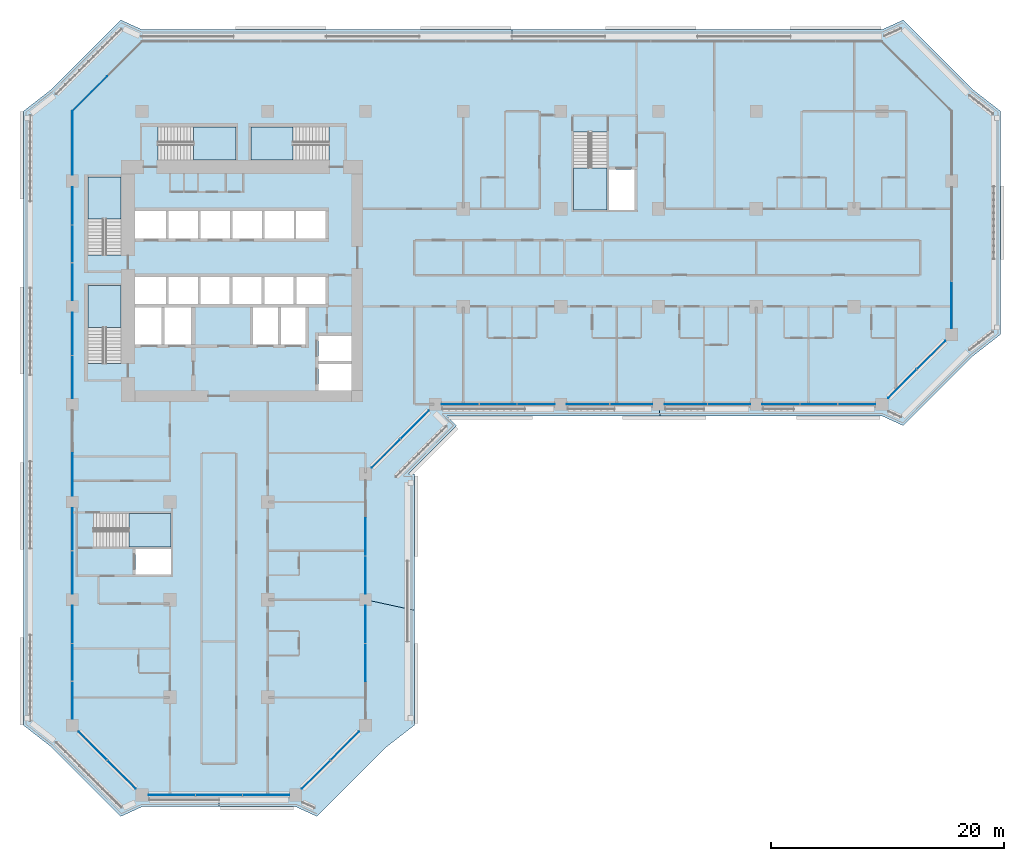
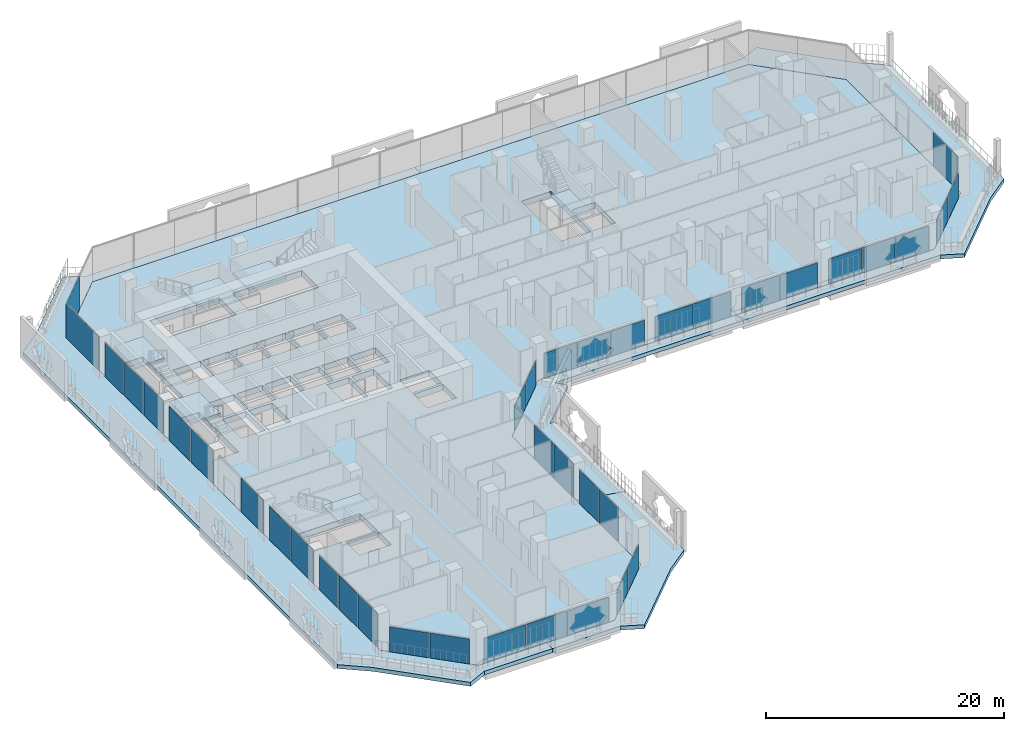
# One storey, part 10 of 25: 39 plates, 11 slabs, 16 elements without a shape of their own.
"""IFC4 building model written with IfcOpenShell, lengths in metres."""

import ifcopenshell
import ifcopenshell.guid

model = None  # the IFC model being written
_history = None  # IfcOwnerHistory: only IFC2X3 demands one
_inside = {}  # id of a spatial element -> (the spatial element, [elements in it])
_under = {}  # id of a project, library or spatial element -> (it, [spatial elements below it])
_declared = {}  # id of a project -> (the project, [libraries it declares])
_typed = {}  # id of a type object -> (the type object, [elements of that type])
_made_of = {}  # id of a material, layer set ... -> (it, [elements and type objects made of it])


def new_model(schema):
    """Start an empty IFC model of exactly this schema.

    Asked for "IFC4X3", IfcOpenShell would pick the latest addendum, in which some entities
    have other attributes; the version numbers below select the first issue.
    IFC2X3 requires an IfcOwnerHistory on every rooted entity: one is made here for all.
    """
    global model, _history
    if schema == "IFC4X3":
        model = ifcopenshell.file(schema_version=(4, 3, 0, 0))
    else:
        model = ifcopenshell.file(schema=schema)
    _inside.clear()
    _under.clear()
    _declared.clear()
    _typed.clear()
    _made_of.clear()
    _history = None
    if model.schema == "IFC2X3":
        org = make("IfcOrganization", Name="unknown")
        user = make(
            "IfcPersonAndOrganization",
            ThePerson=make("IfcPerson", FamilyName="unknown"),
            TheOrganization=org,
        )
        app = make(
            "IfcApplication",
            ApplicationDeveloper=org,
            Version="unknown",
            ApplicationFullName="unknown",
            ApplicationIdentifier="unknown",
        )
        _history = make(
            "IfcOwnerHistory",
            OwningUser=user,
            OwningApplication=app,
            ChangeAction="ADDED",
            CreationDate=0,
        )
    return model


def make(cls, **values):
    """One entity of the class cls with the attributes given. An attribute that is None is left unset."""
    return model.create_entity(
        cls, **{name: value for name, value in values.items() if value is not None}
    )


def rooted(cls, **values):
    """An entity with a GlobalId (a new one), such as an element, a storey or a relation."""
    return make(cls, GlobalId=ifcopenshell.guid.new(), OwnerHistory=_history, **values)


def si_unit(unit_type, name, prefix=None):
    """IfcSIUnit, for example si_unit("LENGTHUNIT", "METRE", prefix="MILLI")."""
    return make("IfcSIUnit", UnitType=unit_type, Prefix=prefix, Name=name)


def assignment(units):
    """IfcUnitAssignment: the units of a project."""
    return None if units is None else make("IfcUnitAssignment", Units=units)


def point(xyz):
    """IfcCartesianPoint."""
    return None if xyz is None else make("IfcCartesianPoint", Coordinates=xyz)


def direction(xyz):
    """IfcDirection."""
    return None if xyz is None else make("IfcDirection", DirectionRatios=xyz)


def frame(location, z_axis=None, x_axis=None):
    """IfcAxis2Placement3D, a coordinate frame: its origin and axes. An axis left out is left unset."""
    return make(
        "IfcAxis2Placement3D",
        Location=point(location),
        Axis=direction(z_axis),
        RefDirection=direction(x_axis),
    )


def frame_2d(location, x_axis=None):
    """IfcAxis2Placement2D, a coordinate frame in the plane: its origin and x axis."""
    return make(
        "IfcAxis2Placement2D", Location=point(location), RefDirection=direction(x_axis)
    )


def origin():
    """The frame at (0, 0, 0) with its axes left unset."""
    return frame((0.0, 0.0, 0.0))


def origin_2d():
    """The frame at (0, 0) in the plane with its x axis left unset."""
    return frame_2d((0.0, 0.0))


def place(relative_to, where):
    """IfcLocalPlacement: puts the frame where relative to a parent placement (None: the world)."""
    return make(
        "IfcLocalPlacement", PlacementRelTo=relative_to, RelativePlacement=where
    )


def context(
    kind, dimensions, precision=None, world=None, true_north=None, identifier=None
):
    """IfcGeometricRepresentationContext, for example the 3D "Model" context."""
    return make(
        "IfcGeometricRepresentationContext",
        ContextIdentifier=identifier,
        ContextType=kind,
        CoordinateSpaceDimension=dimensions,
        Precision=precision,
        WorldCoordinateSystem=world,
        TrueNorth=true_north,
    )


def subcontext(parent, identifier, kind, view, scale=None):
    """IfcGeometricRepresentationSubContext, for example "Body" below "Model"."""
    return make(
        "IfcGeometricRepresentationSubContext",
        ContextIdentifier=identifier,
        ContextType=kind,
        ParentContext=parent,
        TargetScale=scale,
        TargetView=view,
    )


def project(units=None, contexts=None):
    """IfcProject with its units and contexts."""
    return rooted(
        "IfcProject",
        Name="project",
        RepresentationContexts=contexts,
        UnitsInContext=assignment(units),
    )


def spatial(cls, under=None, at=None, **own):
    """A site, building, storey or space (cls), placed at a placement, below another one or the project."""
    s = rooted(cls, ObjectPlacement=at, **own)
    if under is not None:
        _under.setdefault(under.id(), (under, []))[1].append(s)
    return s


def polyline(points):
    """IfcPolyline through the points."""
    return make("IfcPolyline", Points=[point(p) for p in points])


def profile(cls, at=None, kind="AREA", **sizes):
    """A parametric profile (cls). Its sizes go by their IFC names, for example OverallWidth=200.0."""
    return make(cls, ProfileType=kind, Position=at, **sizes)


def rectangle(**sizes):
    """IfcRectangleProfileDef."""
    return profile("IfcRectangleProfileDef", **sizes)


def outline(outer, holes=None, kind="AREA"):
    """IfcArbitraryClosedProfileDef: a profile drawn as a closed curve; with holes, ...WithVoids."""
    if holes is None:
        return make("IfcArbitraryClosedProfileDef", ProfileType=kind, OuterCurve=outer)
    return make(
        "IfcArbitraryProfileDefWithVoids",
        ProfileType=kind,
        OuterCurve=outer,
        InnerCurves=holes,
    )


def extrude(swept, where, along, depth):
    """IfcExtrudedAreaSolid: the profile swept, set in the frame where, extruded along a direction by depth."""
    return make(
        "IfcExtrudedAreaSolid",
        SweptArea=swept,
        Position=where,
        ExtrudedDirection=direction(along),
        Depth=depth,
    )


def shape(context_of_items, identifier, shape_type, items):
    """IfcShapeRepresentation: the items that make up one representation, for example the "Body"."""
    return make(
        "IfcShapeRepresentation",
        ContextOfItems=context_of_items,
        RepresentationIdentifier=identifier,
        RepresentationType=shape_type,
        Items=items,
    )


def material(Name=None, Category=None):
    """IfcMaterial."""
    return make("IfcMaterial", Name=Name, Category=Category)


def layer(
    of_material, thickness, ventilated=None, Name=None, Category=None, Priority=None
):
    """IfcMaterialLayer: one layer of a wall or slab, of a material (None: an air gap)."""
    return make(
        "IfcMaterialLayer",
        Material=of_material,
        LayerThickness=thickness,
        IsVentilated=ventilated,
        Name=Name,
        Category=Category,
        Priority=Priority,
    )


def layer_set(layers, Name=None):
    """IfcMaterialLayerSet."""
    return make("IfcMaterialLayerSet", MaterialLayers=layers, LayerSetName=Name)


def made_of(thing, what):
    """Note that an element or type object is made of a material, layer set ...; save() writes the relation."""
    if what is not None:
        _made_of.setdefault(what.id(), (what, []))[1].append(thing)
    return thing


def type_object(cls, material=None, **own):
    """A type object (cls), such as IfcWallType, which elements share."""
    return made_of(rooted(cls, **own), material)


def element(
    cls,
    number,
    at=None,
    inside=None,
    cuts=None,
    type_object=None,
    material=None,
    context=None,
    identifier="Body",
    shape_type=None,
    held_by="IfcProductDefinitionShape",
    body=None,
    shapes=None,
    **own,
):
    """One element of the class cls, such as IfcWall. Its Tag is "e" and its number.

    at: its placement. inside: the storey or other place that contains it. cuts: it is an
    opening in that element (IfcRelVoidsElement). A single representation is given by context,
    identifier, shape_type and body (its items); several are given by shapes. held_by: the class
    of the entity that holds the representations. save() writes the other relations.
    """
    e = rooted(cls, Tag="e%d" % number, ObjectPlacement=at, **own)
    if body is not None:
        shapes = [shape(context, identifier, shape_type, body)]
    if shapes is not None:
        e.Representation = make(held_by, Representations=shapes)
    if inside is not None:
        _inside.setdefault(inside.id(), (inside, []))[1].append(e)
    if cuts is not None:
        rooted(
            "IfcRelVoidsElement", RelatingBuildingElement=cuts, RelatedOpeningElement=e
        )
    if type_object is not None:
        _typed.setdefault(type_object.id(), (type_object, []))[1].append(e)
    return made_of(e, material)


def aggregate(whole, parts):
    """IfcRelAggregates: a whole, such as a stair, and the parts it consists of."""
    return rooted("IfcRelAggregates", RelatingObject=whole, RelatedObjects=parts)


def save(model, path):
    """Write the relations noted so far, then the file.

    IfcRelAggregates (storeys below a building ...), IfcRelContainedInSpatialStructure (elements
    in a storey), IfcRelDefinesByType, IfcRelAssociatesMaterial and IfcRelDeclares: one each for
    every whole, place, type object, material and project.
    """
    for whole, parts in _under.values():
        aggregate(whole, parts)
    for where, things in _inside.values():
        rooted(
            "IfcRelContainedInSpatialStructure",
            RelatedElements=things,
            RelatingStructure=where,
        )
    for kind, things in _typed.values():
        rooted("IfcRelDefinesByType", RelatedObjects=things, RelatingType=kind)
    for what, things in _made_of.values():
        rooted("IfcRelAssociatesMaterial", RelatedObjects=things, RelatingMaterial=what)
    for by, libraries in _declared.values():
        rooted("IfcRelDeclares", RelatingContext=by, RelatedDefinitions=libraries)
    model.write(path)


model = new_model("IFC4")

# Units and contexts
model_context = context("Model", 3, precision=1e-05, world=origin(), true_north=direction((0.0, 1.0)))
body_context = subcontext(model_context, "Body", "Model", "MODEL_VIEW")
ifc_project = project(units=[si_unit("LENGTHUNIT", "METRE"), si_unit("AREAUNIT", "SQUARE_METRE"), si_unit("VOLUMEUNIT", "CUBIC_METRE"), si_unit("PLANEANGLEUNIT", "RADIAN"), si_unit("MASSUNIT", "GRAM", prefix="KILO")], contexts=[model_context])

# Site, building, storey
site_placement = place(None, origin())
site = spatial("IfcSite", under=ifc_project, at=site_placement, CompositionType="ELEMENT")
building_placement = place(site_placement, origin())
building = spatial("IfcBuilding", under=site, at=building_placement, Name="Kawkab Arch Medical Tower", CompositionType="ELEMENT")
storey_placement = place(building_placement, frame((0.0, 0.0, 140.800048828125)))
storey = spatial("IfcBuildingStorey", under=building, at=storey_placement, Name="L32", CompositionType="ELEMENT", Elevation=140.800048828125)

# Curtain wall, plates
ifc_material_1 = material(Name="Bronze anodised aluminium curtain wall frame", Category="aluminium")
ifc_layer_1 = layer(ifc_material_1, 0.159912109375)
ifc_layer_set_1 = layer_set([ifc_layer_1], Name="Bronze anodised aluminium curtain wall frame")
curtain_wall_type_1 = type_object("IfcCurtainWallType", Name="CW1 ward curtain wall", PredefinedType="NOTDEFINED", material=ifc_layer_set_1)
placement_1 = place(storey_placement, origin())
curtain_wall_1 = element("IfcCurtainWall", 1, at=placement_1, inside=storey, type_object=curtain_wall_type_1, Name="CW1 Ward curtain wall R01", PredefinedType="NOTDEFINED")
ifc_material_2 = material(Name="Tinted insulating glass, bronze low-e coating", Category="glass")
ifc_layer_2 = layer(ifc_material_2, 0.031982421875)
ifc_layer_set_2 = layer_set([ifc_layer_2], Name="Tinted insulating glass, bronze low-e coating")
plate_type_1 = type_object("IfcPlateType", Name="CW1 glazing unit 32", PredefinedType="CURTAIN_PANEL", material=ifc_layer_set_2)
plate_1_placement = place(storey_placement, frame((0.0, -2.72509765625, 0.0), z_axis=(0.0, 0.0, 1.0), x_axis=(0.0, -1.0, 0.0)))
plate_1 = element("IfcPlate", 2, at=plate_1_placement, type_object=plate_type_1, Name="CW1 glazing unit 1.1", PredefinedType="CURTAIN_PANEL", context=body_context, shape_type="SweptSolid", body=[
    extrude(rectangle(XDim=5.449951171875, YDim=0.031982421875, at=origin_2d()), origin(), (0.0, 0.0, 1.0), 3.47998046875),
])
plate_2_placement = place(storey_placement, frame((0.0, -8.15576171875, 0.0), z_axis=(0.0, 0.0, 1.0), x_axis=(0.0, -1.0, 0.0)))
plate_2 = element("IfcPlate", 3, at=plate_2_placement, type_object=plate_type_1, Name="CW1 glazing unit 2.1", PredefinedType="CURTAIN_PANEL", context=body_context, shape_type="SweptSolid", body=[
    extrude(rectangle(XDim=3.211669921875, YDim=0.031982421875, at=origin_2d()), origin(), (0.0, 0.0, 1.0), 3.47998046875),
])
plate_3_placement = place(storey_placement, frame((0.0, -11.41259765625, 0.0), z_axis=(0.0, 0.0, 1.0), x_axis=(0.0, -1.0, 0.0)))
plate_3 = element("IfcPlate", 4, at=plate_3_placement, type_object=plate_type_1, Name="CW1 glazing unit 2.2", PredefinedType="CURTAIN_PANEL", context=body_context, shape_type="SweptSolid", body=[
    extrude(rectangle(XDim=3.181640625, YDim=0.031982421875, at=origin_2d()), origin(), (0.0, 0.0, 1.0), 3.47998046875),
])
plate_4_placement = place(storey_placement, frame((0.0, -14.669189453125, 0.0), z_axis=(0.0, 0.0, 1.0), x_axis=(0.0, -1.0, 0.0)))
plate_4 = element("IfcPlate", 5, at=plate_4_placement, type_object=plate_type_1, Name="CW1 glazing unit 2.3", PredefinedType="CURTAIN_PANEL", context=body_context, shape_type="SweptSolid", body=[
    extrude(rectangle(XDim=3.211669921875, YDim=0.031982421875, at=origin_2d()), origin(), (0.0, 0.0, 1.0), 3.47998046875),
])
plate_5_placement = place(storey_placement, frame((0.0, -19.1474609375, 0.0), z_axis=(0.0, 0.0, 1.0), x_axis=(0.0, -1.0, 0.0)))
plate_5 = element("IfcPlate", 6, at=plate_5_placement, type_object=plate_type_1, Name="CW1 glazing unit 3.1", PredefinedType="CURTAIN_PANEL", context=body_context, shape_type="SweptSolid", body=[
    extrude(rectangle(XDim=3.64501953125, YDim=0.031982421875, at=origin_2d()), origin(), (0.0, 0.0, 1.0), 3.47998046875),
])
plate_6_placement = place(storey_placement, frame((0.0, -22.8525390625, 0.0), z_axis=(0.0, 0.0, 1.0), x_axis=(0.0, -1.0, 0.0)))
plate_6 = element("IfcPlate", 7, at=plate_6_placement, type_object=plate_type_1, Name="CW1 glazing unit 3.2", PredefinedType="CURTAIN_PANEL", context=body_context, shape_type="SweptSolid", body=[
    extrude(rectangle(XDim=3.64501953125, YDim=0.031982421875, at=origin_2d()), origin(), (0.0, 0.0, 1.0), 3.47998046875),
])
plate_7_placement = place(storey_placement, frame((0.0, -31.237548828125, 0.0), z_axis=(0.0, 0.0, 1.0), x_axis=(0.0, -1.0, 0.0)))
plate_7 = element("IfcPlate", 8, at=plate_7_placement, type_object=plate_type_1, Name="CW1 glazing unit 4.2", PredefinedType="CURTAIN_PANEL", context=body_context, shape_type="SweptSolid", body=[
    extrude(rectangle(XDim=3.675048828125, YDim=0.031982421875, at=origin_2d()), origin(), (0.0, 0.0, 1.0), 3.47998046875),
])
plate_8_placement = place(storey_placement, frame((0.0, -35.947509765625, 0.0), z_axis=(0.0, 0.0, 1.0), x_axis=(0.0, -1.0, 0.0)))
plate_8 = element("IfcPlate", 9, at=plate_8_placement, type_object=plate_type_1, Name="CW1 glazing unit 5.1", PredefinedType="CURTAIN_PANEL", context=body_context, shape_type="SweptSolid", body=[
    extrude(rectangle(XDim=3.64501953125, YDim=0.031982421875, at=origin_2d()), origin(), (0.0, 0.0, 1.0), 3.47998046875),
])
plate_9_placement = place(storey_placement, frame((0.0, -39.652587890625, 0.0), z_axis=(0.0, 0.0, 1.0), x_axis=(0.0, -1.0, 0.0)))
plate_9 = element("IfcPlate", 10, at=plate_9_placement, type_object=plate_type_1, Name="CW1 glazing unit 5.2", PredefinedType="CURTAIN_PANEL", context=body_context, shape_type="SweptSolid", body=[
    extrude(rectangle(XDim=3.64501953125, YDim=0.031982421875, at=origin_2d()), origin(), (0.0, 0.0, 1.0), 3.47998046875),
])
plate_10_placement = place(storey_placement, frame((0.0, -44.130859375, 0.0), z_axis=(0.0, 0.0, 1.0), x_axis=(0.0, -1.0, 0.0)))
plate_10 = element("IfcPlate", 11, at=plate_10_placement, type_object=plate_type_1, Name="CW1 glazing unit 6.1", PredefinedType="CURTAIN_PANEL", context=body_context, shape_type="SweptSolid", body=[
    extrude(rectangle(XDim=3.211669921875, YDim=0.031982421875, at=origin_2d()), origin(), (0.0, 0.0, 1.0), 3.47998046875),
])
plate_11_placement = place(storey_placement, frame((0.0, -47.387451171875, 0.0), z_axis=(0.0, 0.0, 1.0), x_axis=(0.0, -1.0, 0.0)))
plate_11 = element("IfcPlate", 12, at=plate_11_placement, type_object=plate_type_1, Name="CW1 glazing unit 6.2", PredefinedType="CURTAIN_PANEL", context=body_context, shape_type="SweptSolid", body=[
    extrude(rectangle(XDim=3.181640625, YDim=0.031982421875, at=origin_2d()), origin(), (0.0, 0.0, 1.0), 3.47998046875),
])
plate_12_placement = place(storey_placement, frame((0.0, -50.644287109375, 0.0), z_axis=(0.0, 0.0, 1.0), x_axis=(0.0, -1.0, 0.0)))
plate_12 = element("IfcPlate", 13, at=plate_12_placement, type_object=plate_type_1, Name="CW1 glazing unit 6.3", PredefinedType="CURTAIN_PANEL", context=body_context, shape_type="SweptSolid", body=[
    extrude(rectangle(XDim=3.211669921875, YDim=0.031982421875, at=origin_2d()), origin(), (0.0, 0.0, 1.0), 3.47998046875),
])
aggregate(curtain_wall_1, [plate_1, plate_2, plate_3, plate_4, plate_5, plate_6, plate_7, plate_8, plate_9, plate_10, plate_11, plate_12])

curtain_wall_2 = element("IfcCurtainWall", 14, at=placement_1, inside=storey, type_object=curtain_wall_type_1, Name="CW1 Ward curtain wall R03", PredefinedType="NOTDEFINED")
plate_13_placement = place(storey_placement, frame((8.5517578125, -58.800048828125, 0.0), z_axis=(0.0, 0.0, 1.0), x_axis=(1.0, 0.0, 0.0)))
plate_13 = element("IfcPlate", 15, at=plate_13_placement, type_object=plate_type_1, Name="CW1 glazing unit 1.1", PredefinedType="CURTAIN_PANEL", context=body_context, shape_type="SweptSolid", body=[
    extrude(rectangle(XDim=4.00341796875, YDim=0.031982421875, at=origin_2d()), origin(), (0.0, 0.0, 1.0), 2.580078125),
])
plate_14_placement = place(storey_placement, frame((12.60009765625, -58.800048828125, 0.0), z_axis=(0.0, 0.0, 1.0), x_axis=(1.0, 0.0, 0.0)))
plate_14 = element("IfcPlate", 16, at=plate_14_placement, type_object=plate_type_1, Name="CW1 glazing unit 1.2", PredefinedType="CURTAIN_PANEL", context=body_context, shape_type="SweptSolid", body=[
    extrude(rectangle(XDim=3.973388671875, YDim=0.031982421875, at=origin_2d()), origin(), (0.0, 0.0, 1.0), 2.580078125),
])
plate_15_placement = place(storey_placement, frame((16.6484375, -58.800048828125, 0.0), z_axis=(0.0, 0.0, 1.0), x_axis=(1.0, 0.0, 0.0)))
plate_15 = element("IfcPlate", 17, at=plate_15_placement, type_object=plate_type_1, Name="CW1 glazing unit 1.3", PredefinedType="CURTAIN_PANEL", context=body_context, shape_type="SweptSolid", body=[
    extrude(rectangle(XDim=4.00341796875, YDim=0.031982421875, at=origin_2d()), origin(), (0.0, 0.0, 1.0), 2.580078125),
])
aggregate(curtain_wall_2, [plate_13, plate_14, plate_15])

curtain_wall_3 = element("IfcCurtainWall", 18, at=placement_1, inside=storey, type_object=curtain_wall_type_1, Name="CW1 Ward curtain wall R05", PredefinedType="NOTDEFINED")
plate_16_placement = place(storey_placement, frame((25.199951171875, -47.402587890625, 0.0), z_axis=(0.0, 0.0, 1.0), x_axis=(0.0, 1.0, 0.0)))
plate_16 = element("IfcPlate", 19, at=plate_16_placement, type_object=plate_type_1, Name="CW1 glazing unit 1.2", PredefinedType="CURTAIN_PANEL", context=body_context, shape_type="SweptSolid", body=[
    extrude(rectangle(XDim=3.211669921875, YDim=0.031982421875, at=origin_2d()), origin(), (0.0, 0.0, 1.0), 3.47998046875),
])
plate_17_placement = place(storey_placement, frame((25.199951171875, -44.130859375, 0.0), z_axis=(0.0, 0.0, 1.0), x_axis=(0.0, 1.0, 0.0)))
plate_17 = element("IfcPlate", 20, at=plate_17_placement, type_object=plate_type_1, Name="CW1 glazing unit 1.3", PredefinedType="CURTAIN_PANEL", context=body_context, shape_type="SweptSolid", body=[
    extrude(rectangle(XDim=3.211669921875, YDim=0.031982421875, at=origin_2d()), origin(), (0.0, 0.0, 1.0), 3.47998046875),
])
plate_18_placement = place(storey_placement, frame((25.199951171875, -39.869140625, 0.0), z_axis=(0.0, 0.0, 1.0), x_axis=(0.0, 1.0, 0.0)))
plate_18 = element("IfcPlate", 21, at=plate_18_placement, type_object=plate_type_1, Name="CW1 glazing unit 2.1", PredefinedType="CURTAIN_PANEL", context=body_context, shape_type="SweptSolid", body=[
    extrude(rectangle(XDim=3.211669921875, YDim=0.031982421875, at=origin_2d()), origin(), (0.0, 0.0, 1.0), 3.47998046875),
])
plate_19_placement = place(storey_placement, frame((25.199951171875, -36.597412109375, 0.0), z_axis=(0.0, 0.0, 1.0), x_axis=(0.0, 1.0, 0.0)))
plate_19 = element("IfcPlate", 22, at=plate_19_placement, type_object=plate_type_1, Name="CW1 glazing unit 2.2", PredefinedType="CURTAIN_PANEL", context=body_context, shape_type="SweptSolid", body=[
    extrude(rectangle(XDim=3.211669921875, YDim=0.031982421875, at=origin_2d()), origin(), (0.0, 0.0, 1.0), 3.47998046875),
])
aggregate(curtain_wall_3, [plate_16, plate_17, plate_18, plate_19])

curtain_wall_4 = element("IfcCurtainWall", 23, at=placement_1, inside=storey, type_object=curtain_wall_type_1, Name="CW1 Ward curtain wall R07", PredefinedType="NOTDEFINED")
plate_20_placement = place(storey_placement, frame((33.355712890625, -25.199951171875, 0.0), z_axis=(0.0, 0.0, 1.0), x_axis=(1.0, 0.0, 0.0)))
plate_20 = element("IfcPlate", 24, at=plate_20_placement, type_object=plate_type_1, Name="CW1 glazing unit 1.1", PredefinedType="CURTAIN_PANEL", context=body_context, shape_type="SweptSolid", body=[
    extrude(rectangle(XDim=3.211669921875, YDim=0.031982421875, at=origin_2d()), origin(), (0.0, 0.0, 1.0), 2.580078125),
])
plate_21_placement = place(storey_placement, frame((36.612548828125, -25.199951171875, 0.0), z_axis=(0.0, 0.0, 1.0), x_axis=(1.0, 0.0, 0.0)))
plate_21 = element("IfcPlate", 25, at=plate_21_placement, type_object=plate_type_1, Name="CW1 glazing unit 1.2", PredefinedType="CURTAIN_PANEL", context=body_context, shape_type="SweptSolid", body=[
    extrude(rectangle(XDim=3.181640625, YDim=0.031982421875, at=origin_2d()), origin(), (0.0, 0.0, 1.0), 2.580078125),
])
plate_22_placement = place(storey_placement, frame((39.869140625, -25.199951171875, 0.0), z_axis=(0.0, 0.0, 1.0), x_axis=(1.0, 0.0, 0.0)))
plate_22 = element("IfcPlate", 26, at=plate_22_placement, type_object=plate_type_1, Name="CW1 glazing unit 1.3", PredefinedType="CURTAIN_PANEL", context=body_context, shape_type="SweptSolid", body=[
    extrude(rectangle(XDim=3.211669921875, YDim=0.031982421875, at=origin_2d()), origin(), (0.0, 0.0, 1.0), 2.580078125),
])
plate_23_placement = place(storey_placement, frame((44.347412109375, -25.199951171875, 0.0), z_axis=(0.0, 0.0, 1.0), x_axis=(1.0, 0.0, 0.0)))
plate_23 = element("IfcPlate", 27, at=plate_23_placement, type_object=plate_type_1, Name="CW1 glazing unit 2.1", PredefinedType="CURTAIN_PANEL", context=body_context, shape_type="SweptSolid", body=[
    extrude(rectangle(XDim=3.64501953125, YDim=0.031982421875, at=origin_2d()), origin(), (0.0, 0.0, 1.0), 2.580078125),
])
plate_24_placement = place(storey_placement, frame((48.052490234375, -25.199951171875, 0.0), z_axis=(0.0, 0.0, 1.0), x_axis=(1.0, 0.0, 0.0)))
plate_24 = element("IfcPlate", 28, at=plate_24_placement, type_object=plate_type_1, Name="CW1 glazing unit 2.2", PredefinedType="CURTAIN_PANEL", context=body_context, shape_type="SweptSolid", body=[
    extrude(rectangle(XDim=3.64501953125, YDim=0.031982421875, at=origin_2d()), origin(), (0.0, 0.0, 1.0), 2.580078125),
])
plate_25_placement = place(storey_placement, frame((52.74755859375, -25.199951171875, 0.0), z_axis=(0.0, 0.0, 1.0), x_axis=(1.0, 0.0, 0.0)))
plate_25 = element("IfcPlate", 29, at=plate_25_placement, type_object=plate_type_1, Name="CW1 glazing unit 3.1", PredefinedType="CURTAIN_PANEL", context=body_context, shape_type="SweptSolid", body=[
    extrude(rectangle(XDim=3.64501953125, YDim=0.031982421875, at=origin_2d()), origin(), (0.0, 0.0, 1.0), 2.580078125),
])
plate_26_placement = place(storey_placement, frame((56.452392578125, -25.199951171875, 0.0), z_axis=(0.0, 0.0, 1.0), x_axis=(1.0, 0.0, 0.0)))
plate_26 = element("IfcPlate", 30, at=plate_26_placement, type_object=plate_type_1, Name="CW1 glazing unit 3.2", PredefinedType="CURTAIN_PANEL", context=body_context, shape_type="SweptSolid", body=[
    extrude(rectangle(XDim=3.64501953125, YDim=0.031982421875, at=origin_2d()), origin(), (0.0, 0.0, 1.0), 2.580078125),
])
plate_27_placement = place(storey_placement, frame((60.930908203125, -25.199951171875, 0.0), z_axis=(0.0, 0.0, 1.0), x_axis=(1.0, 0.0, 0.0)))
plate_27 = element("IfcPlate", 31, at=plate_27_placement, type_object=plate_type_1, Name="CW1 glazing unit 4.1", PredefinedType="CURTAIN_PANEL", context=body_context, shape_type="SweptSolid", body=[
    extrude(rectangle(XDim=3.211669921875, YDim=0.031982421875, at=origin_2d()), origin(), (0.0, 0.0, 1.0), 2.580078125),
])
plate_28_placement = place(storey_placement, frame((64.1875, -25.199951171875, 0.0), z_axis=(0.0, 0.0, 1.0), x_axis=(1.0, 0.0, 0.0)))
plate_28 = element("IfcPlate", 32, at=plate_28_placement, type_object=plate_type_1, Name="CW1 glazing unit 4.2", PredefinedType="CURTAIN_PANEL", context=body_context, shape_type="SweptSolid", body=[
    extrude(rectangle(XDim=3.181640625, YDim=0.031982421875, at=origin_2d()), origin(), (0.0, 0.0, 1.0), 2.580078125),
])
plate_29_placement = place(storey_placement, frame((67.444091796875, -25.199951171875, 0.0), z_axis=(0.0, 0.0, 1.0), x_axis=(1.0, 0.0, 0.0)))
plate_29 = element("IfcPlate", 33, at=plate_29_placement, type_object=plate_type_1, Name="CW1 glazing unit 4.3", PredefinedType="CURTAIN_PANEL", context=body_context, shape_type="SweptSolid", body=[
    extrude(rectangle(XDim=3.211669921875, YDim=0.031982421875, at=origin_2d()), origin(), (0.0, 0.0, 1.0), 2.580078125),
])
aggregate(curtain_wall_4, [plate_20, plate_21, plate_22, plate_23, plate_24, plate_25, plate_26, plate_27, plate_28, plate_29])

# Curtain wall, plate
curtain_wall_5 = element("IfcCurtainWall", 34, at=placement_1, inside=storey, type_object=curtain_wall_type_1, Name="CW1 Ward curtain wall R09", PredefinedType="NOTDEFINED")
plate_30_placement = place(storey_placement, frame((75.60009765625, -16.6484375, 0.0), z_axis=(0.0, 0.0, 1.0), x_axis=(0.0, 1.0, 0.0)))
plate_30 = element("IfcPlate", 35, at=plate_30_placement, type_object=plate_type_1, Name="CW1 glazing unit 1.1", PredefinedType="CURTAIN_PANEL", context=body_context, shape_type="SweptSolid", body=[
    extrude(rectangle(XDim=4.00341796875, YDim=0.031982421875, at=origin_2d()), origin(), (0.0, 0.0, 1.0), 3.47998046875),
])
aggregate(curtain_wall_5, [plate_30])

# Curtain wall, plates
ifc_material_3 = material(Name="Bronze anodised aluminium curtain wall frame", Category="aluminium")
ifc_layer_3 = layer(ifc_material_3, 0.159912109375)
ifc_layer_set_3 = layer_set([ifc_layer_3], Name="Bronze anodised aluminium curtain wall frame")
curtain_wall_type_2 = type_object("IfcCurtainWallType", Name="CW2 chamfer curtain wall", PredefinedType="NOTDEFINED", material=ifc_layer_set_3)
curtain_wall_6 = element("IfcCurtainWall", 36, at=placement_1, inside=storey, type_object=curtain_wall_type_2, Name="CW2 Chamfer curtain wall R02", PredefinedType="NOTDEFINED")
ifc_material_4 = material(Name="Tinted insulating glass, bronze low-e coating", Category="glass")
ifc_layer_4 = layer(ifc_material_4, 0.031982421875)
ifc_layer_set_4 = layer_set([ifc_layer_4], Name="Tinted insulating glass, bronze low-e coating")
plate_type_2 = type_object("IfcPlateType", Name="CW2 glazing unit 32", PredefinedType="CURTAIN_PANEL", material=ifc_layer_set_4)
plate_31_placement = place(storey_placement, frame((1.764404296875, -54.564453125, 0.0), z_axis=(0.0, 0.0, 1.0), x_axis=(0.707106781187, -0.707106781187, 0.0)))
plate_31 = element("IfcPlate", 37, at=plate_31_placement, type_object=plate_type_2, Name="CW2 glazing unit 1.1", PredefinedType="CURTAIN_PANEL", context=body_context, shape_type="SweptSolid", body=[
    extrude(rectangle(XDim=3.434814453125, YDim=0.031982421875, at=origin_2d()), origin(), (0.0, 0.0, 1.0), 2.56005859375),
])
plate_32_placement = place(storey_placement, frame((4.235595703125, -57.03564453125, 0.0), z_axis=(0.0, 0.0, 1.0), x_axis=(0.707106781187, -0.707106781187, 0.0)))
plate_32 = element("IfcPlate", 38, at=plate_32_placement, type_object=plate_type_2, Name="CW2 glazing unit 1.2", PredefinedType="CURTAIN_PANEL", context=body_context, shape_type="SweptSolid", body=[
    extrude(rectangle(XDim=3.434814453125, YDim=0.031982421875, at=origin_2d()), origin(), (0.0, 0.0, 1.0), 2.56005859375),
])
aggregate(curtain_wall_6, [plate_31, plate_32])

curtain_wall_7 = element("IfcCurtainWall", 39, at=placement_1, inside=storey, type_object=curtain_wall_type_2, Name="CW2 Chamfer curtain wall R04", PredefinedType="NOTDEFINED")
plate_33_placement = place(storey_placement, frame((20.96435546875, -57.03564453125, 0.0), z_axis=(0.0, 0.0, 1.0), x_axis=(0.707106781187, 0.707106781187, 0.0)))
plate_33 = element("IfcPlate", 40, at=plate_33_placement, type_object=plate_type_2, Name="CW2 glazing unit 1.1", PredefinedType="CURTAIN_PANEL", context=body_context, shape_type="SweptSolid", body=[
    extrude(rectangle(XDim=3.434814453125, YDim=0.031982421875, at=origin_2d()), origin(), (0.0, 0.0, 1.0), 2.56005859375),
])
plate_34_placement = place(storey_placement, frame((23.435546875, -54.564453125, 0.0), z_axis=(0.0, 0.0, 1.0), x_axis=(0.707106781187, 0.707106781187, 0.0)))
plate_34 = element("IfcPlate", 41, at=plate_34_placement, type_object=plate_type_2, Name="CW2 glazing unit 1.2", PredefinedType="CURTAIN_PANEL", context=body_context, shape_type="SweptSolid", body=[
    extrude(rectangle(XDim=3.434814453125, YDim=0.031982421875, at=origin_2d()), origin(), (0.0, 0.0, 1.0), 2.56005859375),
])
aggregate(curtain_wall_7, [plate_33, plate_34])

curtain_wall_8 = element("IfcCurtainWall", 42, at=placement_1, inside=storey, type_object=curtain_wall_type_2, Name="CW2 Chamfer curtain wall R06", PredefinedType="NOTDEFINED")
plate_35_placement = place(storey_placement, frame((26.96435546875, -29.435546875, 0.0), z_axis=(0.0, 0.0, 1.0), x_axis=(0.707106781187, 0.707106781187, 0.0)))
plate_35 = element("IfcPlate", 43, at=plate_35_placement, type_object=plate_type_2, Name="CW2 glazing unit 1.1", PredefinedType="CURTAIN_PANEL", context=body_context, shape_type="SweptSolid", body=[
    extrude(rectangle(XDim=3.434814453125, YDim=0.031982421875, at=origin_2d()), origin(), (0.0, 0.0, 1.0), 2.56005859375),
])
plate_36_placement = place(storey_placement, frame((29.435546875, -26.96435546875, 0.0), z_axis=(0.0, 0.0, 1.0), x_axis=(0.707106781187, 0.707106781187, 0.0)))
plate_36 = element("IfcPlate", 44, at=plate_36_placement, type_object=plate_type_2, Name="CW2 glazing unit 1.2", PredefinedType="CURTAIN_PANEL", context=body_context, shape_type="SweptSolid", body=[
    extrude(rectangle(XDim=3.434814453125, YDim=0.031982421875, at=origin_2d()), origin(), (0.0, 0.0, 1.0), 2.56005859375),
])
aggregate(curtain_wall_8, [plate_35, plate_36])

curtain_wall_9 = element("IfcCurtainWall", 45, at=placement_1, inside=storey, type_object=curtain_wall_type_2, Name="CW2 Chamfer curtain wall R08", PredefinedType="NOTDEFINED")
plate_37_placement = place(storey_placement, frame((71.364501953125, -23.435546875, 0.0), z_axis=(0.0, 0.0, 1.0), x_axis=(0.707106781187, 0.707106781187, 0.0)))
plate_37 = element("IfcPlate", 46, at=plate_37_placement, type_object=plate_type_2, Name="CW2 glazing unit 1.1", PredefinedType="CURTAIN_PANEL", context=body_context, shape_type="SweptSolid", body=[
    extrude(rectangle(XDim=3.434814453125, YDim=0.031982421875, at=origin_2d()), origin(), (0.0, 0.0, 1.0), 2.56005859375),
])
plate_38_placement = place(storey_placement, frame((73.835693359375, -20.96435546875, 0.0), z_axis=(0.0, 0.0, 1.0), x_axis=(0.707106781187, 0.707106781187, 0.0)))
plate_38 = element("IfcPlate", 47, at=plate_38_placement, type_object=plate_type_2, Name="CW2 glazing unit 1.2", PredefinedType="CURTAIN_PANEL", context=body_context, shape_type="SweptSolid", body=[
    extrude(rectangle(XDim=3.434814453125, YDim=0.031982421875, at=origin_2d()), origin(), (0.0, 0.0, 1.0), 2.56005859375),
])
aggregate(curtain_wall_9, [plate_37, plate_38])

# Curtain wall, plate
curtain_wall_10 = element("IfcCurtainWall", 48, at=placement_1, inside=storey, type_object=curtain_wall_type_2, Name="CW2 Chamfer curtain wall R12", PredefinedType="NOTDEFINED")
plate_39_placement = place(storey_placement, frame((1.5, 1.5, 0.0), z_axis=(0.0, 0.0, 1.0), x_axis=(-0.707106781187, -0.707106781187, 0.0)))
plate_39 = element("IfcPlate", 49, at=plate_39_placement, type_object=plate_type_2, Name="CW2 glazing unit 2.1", PredefinedType="CURTAIN_PANEL", context=body_context, shape_type="SweptSolid", body=[
    extrude(rectangle(XDim=4.24267578125, YDim=0.031982421875, at=origin_2d()), origin(), (0.0, 0.0, 1.0), 3.4599609375),
])
aggregate(curtain_wall_10, [plate_39])

# Stair, slab
ifc_material_5 = material(Name="Concrete C40/50", Category="concrete")
stair_type = type_object("IfcStairType", Name="Exit stair 1350", PredefinedType="HALF_TURN_STAIR", material=ifc_material_5)
stair_1 = element("IfcStair", 50, at=placement_1, inside=storey, type_object=stair_type, Name="L32 Exit stair ST1", PredefinedType="HALF_TURN_STAIR")
ifc_material_6 = material(Name="Concrete C40/50", Category="concrete")
ifc_layer_5 = layer(ifc_material_6, 0.199951171875)
ifc_layer_set_5 = layer_set([ifc_layer_5], Name="Concrete C40/50")
slab_type_1 = type_object("IfcSlabType", Name="Exit stair landing 200", PredefinedType="LANDING", material=ifc_layer_set_5)
placement_2 = place(storey_placement, frame((0.0, 0.0, 1.89990234375)))
slab_1 = element("IfcSlab", 51, at=placement_2, type_object=slab_type_1, Name="ST1 landing 1", PredefinedType="LANDING", context=body_context, shape_type="SweptSolid", body=[
    extrude(outline(polyline([(4.199951171875, -9.27001953125), (4.199951171875, -5.64990234375), (1.35009765625, -5.64990234375), (1.35009765625, -9.27001953125), (4.199951171875, -9.27001953125)])), origin(), (0.0, 0.0, 1.0), 0.199951171875),
])
aggregate(stair_1, [slab_1])

stair_2 = element("IfcStair", 52, at=placement_1, inside=storey, type_object=stair_type, Name="L32 Exit stair ST2", PredefinedType="HALF_TURN_STAIR")
slab_2 = element("IfcSlab", 53, at=placement_2, type_object=slab_type_1, Name="ST2 landing 1", PredefinedType="LANDING", context=body_context, shape_type="SweptSolid", body=[
    extrude(outline(polyline([(4.199951171875, -18.6201171875), (4.199951171875, -15.0), (1.35009765625, -15.0), (1.35009765625, -18.6201171875), (4.199951171875, -18.6201171875)])), origin(), (0.0, 0.0, 1.0), 0.199951171875),
])
aggregate(stair_2, [slab_2])

stair_3 = element("IfcStair", 54, at=placement_1, inside=storey, type_object=stair_type, Name="L32 Exit stair ST3", PredefinedType="HALF_TURN_STAIR")
slab_3 = element("IfcSlab", 55, at=placement_2, type_object=slab_type_1, Name="ST3 landing 1", PredefinedType="LANDING", context=body_context, shape_type="SweptSolid", body=[
    extrude(outline(polyline([(10.429931640625, -4.199951171875), (14.050048828125, -4.199951171875), (14.050048828125, -1.35009765625), (10.429931640625, -1.35009765625), (10.429931640625, -4.199951171875)])), origin(), (0.0, 0.0, 1.0), 0.199951171875),
])
aggregate(stair_3, [slab_3])

stair_4 = element("IfcStair", 56, at=placement_1, inside=storey, type_object=stair_type, Name="L32 Exit stair ST4", PredefinedType="HALF_TURN_STAIR")
slab_4 = element("IfcSlab", 57, at=placement_2, type_object=slab_type_1, Name="ST4 landing 1", PredefinedType="LANDING", context=body_context, shape_type="SweptSolid", body=[
    extrude(outline(polyline([(18.969970703125, -1.35009765625), (15.35009765625, -1.35009765625), (15.35009765625, -4.199951171875), (18.969970703125, -4.199951171875), (18.969970703125, -1.35009765625)])), origin(), (0.0, 0.0, 1.0), 0.199951171875),
])
aggregate(stair_4, [slab_4])

stair_5 = element("IfcStair", 58, at=placement_1, inside=storey, type_object=stair_type, Name="L32 Exit stair ST5", PredefinedType="HALF_TURN_STAIR")
slab_5 = element("IfcSlab", 59, at=placement_2, type_object=slab_type_1, Name="ST5 landing 1", PredefinedType="LANDING", context=body_context, shape_type="SweptSolid", body=[
    extrude(outline(polyline([(43.10009765625, -4.8798828125), (43.10009765625, -8.5), (45.949951171875, -8.5), (45.949951171875, -4.8798828125), (43.10009765625, -4.8798828125)])), origin(), (0.0, 0.0, 1.0), 0.199951171875),
])
aggregate(stair_5, [slab_5])

stair_6 = element("IfcStair", 60, at=placement_1, inside=storey, type_object=stair_type, Name="L32 Exit stair ST6", PredefinedType="HALF_TURN_STAIR")
slab_6 = element("IfcSlab", 61, at=placement_2, type_object=slab_type_1, Name="ST6 landing 1", PredefinedType="LANDING", context=body_context, shape_type="SweptSolid", body=[
    extrude(outline(polyline([(4.8798828125, -37.449951171875), (8.5, -37.449951171875), (8.5, -34.60009765625), (4.8798828125, -34.60009765625), (4.8798828125, -37.449951171875)])), origin(), (0.0, 0.0, 1.0), 0.199951171875),
])
aggregate(stair_6, [slab_6])

# Slabs
ifc_material_7 = material(Name="Concrete C45/55", Category="concrete")
ifc_layer_6 = layer(ifc_material_7, 0.60009765625)
ifc_layer_set_6 = layer_set([ifc_layer_6], Name="Concrete C45/55")
slab_type_2 = type_object("IfcSlabType", Name="Flat plate 600 C45/55", PredefinedType="FLOOR", material=ifc_layer_set_6)
slab_7_placement = place(storey_placement, frame((0.0, 0.0, -0.60009765625)))
element("IfcSlab", 62, at=slab_7_placement, inside=storey, type_object=slab_type_2, Name="Floor slab L32", PredefinedType="FLOOR", context=body_context, shape_type="SweptSolid", body=[
    extrude(outline(polyline([(6.0, 6.0), (69.60009765625, 6.0), (75.60009765625, 0.0), (75.60009765625, -19.199951171875), (69.60009765625, -25.199951171875), (31.199951171875, -25.199951171875), (25.199951171875, -31.199951171875), (25.199951171875, -52.800048828125), (19.199951171875, -58.800048828125), (6.0, -58.800048828125), (0.0, -52.800048828125), (0.0, 0.0), (6.0, 6.0)]), holes=[polyline([(5.425048828125, -37.64990234375), (5.425048828125, -39.85009765625), (8.5, -39.85009765625), (8.5, -37.64990234375), (5.425048828125, -37.64990234375)]), polyline([(1.800048828125, -37.449951171875), (8.5, -37.449951171875), (8.5, -34.60009765625), (1.800048828125, -34.60009765625), (1.800048828125, -37.449951171875)]), polyline([(5.39990234375, -16.89990234375), (5.39990234375, -20.050048828125), (7.675048828125, -20.050048828125), (7.675048828125, -16.89990234375), (5.39990234375, -16.89990234375)]), polyline([(10.199951171875, -16.89990234375), (7.925048828125, -16.89990234375), (7.925048828125, -20.050048828125), (10.199951171875, -20.050048828125), (10.199951171875, -16.89990234375)]), polyline([(4.199951171875, -21.699951171875), (4.199951171875, -15.0), (1.35009765625, -15.0), (1.35009765625, -21.699951171875), (4.199951171875, -21.699951171875)]), polyline([(5.39990234375, -14.25), (5.39990234375, -16.60009765625), (8.050048828125, -16.60009765625), (8.050048828125, -14.25), (5.39990234375, -14.25)]), polyline([(10.800048828125, -14.25), (8.25, -14.25), (8.25, -16.60009765625), (10.800048828125, -16.60009765625), (10.800048828125, -14.25)]), polyline([(11.0, -14.25), (11.0, -16.60009765625), (13.52490234375, -16.60009765625), (13.52490234375, -14.25), (11.0, -14.25)]), polyline([(5.39990234375, -8.60009765625), (5.39990234375, -10.949951171875), (8.050048828125, -10.949951171875), (8.050048828125, -8.60009765625), (5.39990234375, -8.60009765625)]), polyline([(10.800048828125, -8.60009765625), (8.25, -8.60009765625), (8.25, -10.949951171875), (10.800048828125, -10.949951171875), (10.800048828125, -8.60009765625)]), polyline([(11.0, -10.949951171875), (13.550048828125, -10.949951171875), (13.550048828125, -8.60009765625), (11.0, -8.60009765625), (11.0, -10.949951171875)]), polyline([(4.199951171875, -12.35009765625), (4.199951171875, -5.64990234375), (1.35009765625, -5.64990234375), (1.35009765625, -12.35009765625), (4.199951171875, -12.35009765625)]), polyline([(7.35009765625, -4.199951171875), (14.050048828125, -4.199951171875), (14.050048828125, -1.35009765625), (7.35009765625, -1.35009765625), (7.35009765625, -4.199951171875)]), polyline([(24.0, -21.72509765625), (21.14990234375, -21.72509765625), (21.14990234375, -24.0), (24.0, -24.0), (24.0, -21.72509765625)]), polyline([(24.0, -21.47509765625), (24.0, -19.35009765625), (21.14990234375, -19.35009765625), (21.14990234375, -21.47509765625), (24.0, -21.47509765625)]), polyline([(15.52490234375, -16.89990234375), (15.52490234375, -20.050048828125), (17.675048828125, -20.050048828125), (17.675048828125, -16.89990234375), (15.52490234375, -16.89990234375)]), polyline([(17.925048828125, -20.050048828125), (20.050048828125, -20.050048828125), (20.050048828125, -16.89990234375), (17.925048828125, -16.89990234375), (17.925048828125, -20.050048828125)]), polyline([(16.27490234375, -14.25), (13.77490234375, -14.25), (13.77490234375, -16.60009765625), (16.27490234375, -16.60009765625), (16.27490234375, -14.25)]), polyline([(19.02490234375, -14.25), (16.52490234375, -14.25), (16.52490234375, -16.60009765625), (19.02490234375, -16.60009765625), (19.02490234375, -14.25)]), polyline([(19.27490234375, -16.60009765625), (21.75, -16.60009765625), (21.75, -14.25), (19.27490234375, -14.25), (19.27490234375, -16.60009765625)]), polyline([(13.75, -8.60009765625), (13.75, -10.949951171875), (16.300048828125, -10.949951171875), (16.300048828125, -8.60009765625), (13.75, -8.60009765625)]), polyline([(16.5, -8.60009765625), (16.5, -10.949951171875), (19.050048828125, -10.949951171875), (19.050048828125, -8.60009765625), (16.5, -8.60009765625)]), polyline([(19.25, -10.949951171875), (21.75, -10.949951171875), (21.75, -8.60009765625), (19.25, -8.60009765625), (19.25, -10.949951171875)]), polyline([(46.14990234375, -5.02490234375), (46.14990234375, -8.5), (48.35009765625, -8.5), (48.35009765625, -5.02490234375), (46.14990234375, -5.02490234375)]), polyline([(43.10009765625, -1.800048828125), (43.10009765625, -8.5), (45.949951171875, -8.5), (45.949951171875, -1.800048828125), (43.10009765625, -1.800048828125)]), polyline([(22.050048828125, -1.35009765625), (15.35009765625, -1.35009765625), (15.35009765625, -4.199951171875), (22.050048828125, -4.199951171875), (22.050048828125, -1.35009765625)])]), origin(), (0.0, 0.0, 1.0), 0.60009765625),
])
ifc_material_8 = material(Name="Concrete C40/50", Category="concrete")
ifc_layer_7 = layer(ifc_material_8, 0.39990234375)
ifc_layer_set_7 = layer_set([ifc_layer_7], Name="Concrete C40/50")
slab_type_3 = type_object("IfcSlabType", Name="Loggia slab 400", PredefinedType="FLOOR", material=ifc_layer_set_7)
placement_3 = place(storey_placement, frame((0.0, 0.0, -0.400146484375)))
element("IfcSlab", 63, at=placement_3, inside=storey, type_object=slab_type_3, Name="Loggia slab L32.1", PredefinedType="FLOOR", context=body_context, shape_type="SweptSolid", body=[
    extrude(outline(polyline([(19.199951171875, -59.800048828125), (12.60009765625, -59.800048828125), (12.60009765625, -58.800048828125), (19.199951171875, -58.800048828125), (25.199951171875, -52.800048828125), (25.199951171875, -42.0), (29.39990234375, -42.9130859375), (29.39990234375, -52.800048828125), (27.0380859375, -54.637939453125), (21.0380859375, -60.637939453125), (19.199951171875, -59.800048828125)])), origin(), (0.0, 0.0, 1.0), 0.400146484375),
])
element("IfcSlab", 64, at=placement_3, inside=storey, type_object=slab_type_3, Name="Loggia slab L32.2", PredefinedType="FLOOR", context=body_context, shape_type="SweptSolid", body=[
    extrude(outline(polyline([(33.037109375, -27.0380859375), (28.8759765625, -31.199951171875), (29.39990234375, -31.199951171875), (29.39990234375, -42.9130859375), (25.199951171875, -42.0), (25.199951171875, -31.199951171875), (31.199951171875, -25.199951171875), (50.39990234375, -25.199951171875), (50.534912109375, -26.199951171875), (32.198974609375, -26.199951171875), (33.037109375, -27.0380859375)])), origin(), (0.0, 0.0, 1.0), 0.400146484375),
])
element("IfcSlab", 65, at=placement_3, inside=storey, type_object=slab_type_3, Name="Loggia slab L32.3", PredefinedType="FLOOR", context=body_context, shape_type="SweptSolid", body=[
    extrude(outline(polyline([(-4.199951171875, 0.0), (-1.837890625, 1.837890625), (4.162109375, 7.837890625), (6.0, 7.0), (37.800048828125, 7.0), (37.800048828125, 6.0), (6.0, 6.0), (0.0, 0.0), (-0.0009765625, 0.0), (-0.0009765625, -52.800048828125), (0.0, -52.800048828125), (6.0, -58.800048828125), (12.60009765625, -58.800048828125), (12.60009765625, -59.800048828125), (6.0, -59.800048828125), (4.162109375, -60.637939453125), (-1.837890625, -54.637939453125), (-4.199951171875, -52.800048828125), (-4.199951171875, 0.0)])), origin(), (0.0, 0.0, 1.0), 0.400146484375),
])
element("IfcSlab", 66, at=placement_3, inside=storey, type_object=slab_type_3, Name="Loggia slab L32.4", PredefinedType="FLOOR", context=body_context, shape_type="SweptSolid", body=[
    extrude(outline(polyline([(37.800048828125, 7.0), (69.60009765625, 7.0), (71.43798828125, 7.837890625), (77.43798828125, 1.837890625), (79.800048828125, 0.0), (79.800048828125, -19.199951171875), (77.43798828125, -21.0380859375), (71.43798828125, -27.0380859375), (69.60009765625, -26.199951171875), (50.534912109375, -26.199951171875), (50.39990234375, -25.199951171875), (69.60009765625, -25.199951171875), (75.60009765625, -19.199951171875), (75.60009765625, 0.0), (69.60009765625, 6.0), (37.800048828125, 6.0), (37.800048828125, 7.0)])), origin(), (0.0, 0.0, 1.0), 0.400146484375),
])

save(model, "model.ifc")
